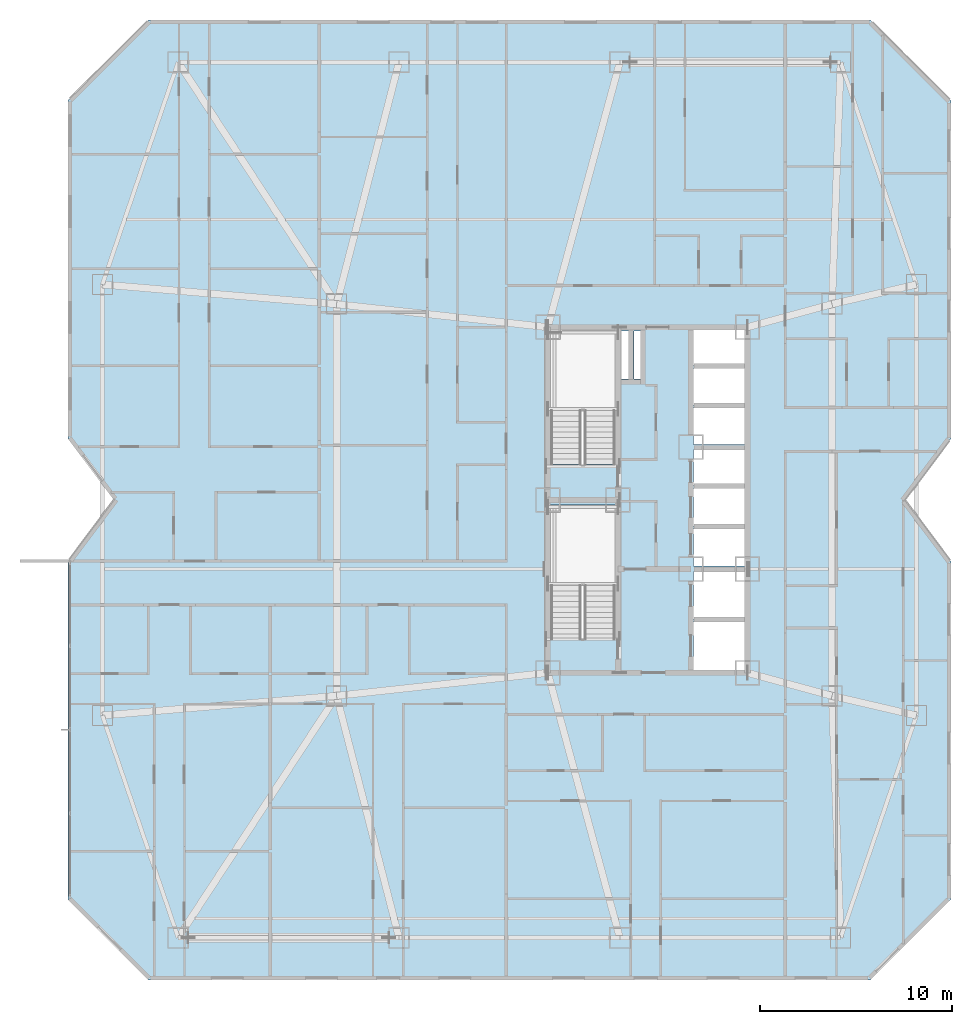
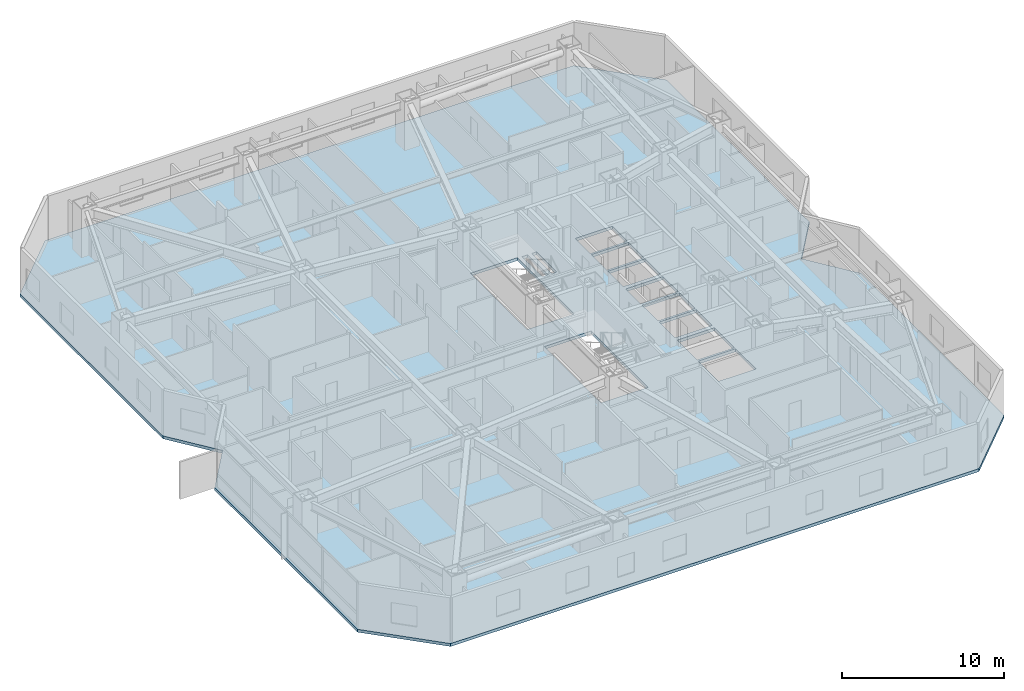
# One storey, part 8 of 19: 1 slab.
"""IFC4 building model written with IfcOpenShell, lengths in metres."""

from ifc_helpers import new_model, si_unit, direction, frame, origin, place, context, subcontext, project, spatial, polyline, outline, extrude, material, layer, layer_set, type_object, element, save


model = new_model("IFC4")

# Units and contexts
model_context = context("Model", 3, precision=1e-05, world=origin(), true_north=direction((0.0, 1.0)))
body_context = subcontext(model_context, "Body", "Model", "MODEL_VIEW")
ifc_project = project(units=[si_unit("LENGTHUNIT", "METRE"), si_unit("AREAUNIT", "SQUARE_METRE"), si_unit("VOLUMEUNIT", "CUBIC_METRE"), si_unit("PLANEANGLEUNIT", "RADIAN"), si_unit("MASSUNIT", "GRAM", prefix="KILO")], contexts=[model_context])

# Site, building, storey
site_placement = place(None, origin())
site = spatial("IfcSite", under=ifc_project, at=site_placement, CompositionType="ELEMENT")
building_placement = place(site_placement, origin())
building = spatial("IfcBuilding", under=site, at=building_placement, Name="Khamvora Tower", CompositionType="ELEMENT")
storey_placement = place(building_placement, frame((0.0, 0.0, 58.85009765625)))
storey = spatial("IfcBuildingStorey", under=building, at=storey_placement, Name="L14", CompositionType="ELEMENT", Elevation=58.85009765625)

# Slab
ifc_material = material(Name="Concrete C35/45", Category="concrete")
ifc_layer = layer(ifc_material, 0.219970703125)
ifc_layer_set = layer_set([ifc_layer], Name="Concrete C35/45")
slab_type = type_object("IfcSlabType", Name="SLB-TYP-220", PredefinedType="FLOOR", material=ifc_layer_set)
slab_placement = place(storey_placement, frame((0.0, 0.0, -0.22021484375)))
element("IfcSlab", 1, at=slab_placement, inside=storey, type_object=slab_type, Name="L14 structural floor slab", PredefinedType="FLOOR", context=body_context, shape_type="SweptSolid", body=[
    extrude(outline(polyline([(8.199951171875, 3.0), (45.800048828125, 3.0), (50.0, 7.199951171875), (50.0, 24.800048828125), (47.60009765625, 28.0), (50.0, 31.199951171875), (50.0, 48.800048828125), (45.800048828125, 53.0), (8.199951171875, 53.0), (4.0, 48.800048828125), (4.0, 31.199951171875), (6.39990234375, 28.0), (4.0, 24.800048828125), (4.0, 7.199951171875), (8.199951171875, 3.0)]), holes=[polyline([(32.5, 20.760009765625), (32.5, 27.75), (29.14990234375, 27.75), (29.14990234375, 20.760009765625), (32.5, 20.760009765625)]), polyline([(32.5, 29.860107421875), (32.5, 36.85009765625), (29.14990234375, 36.85009765625), (29.14990234375, 29.860107421875), (32.5, 29.860107421875)]), polyline([(36.60009765625, 19.14990234375), (39.25, 19.14990234375), (39.25, 21.64990234375), (36.60009765625, 21.64990234375), (36.60009765625, 19.14990234375)]), polyline([(36.60009765625, 21.800048828125), (39.25, 21.800048828125), (39.25, 24.25), (36.60009765625, 24.25), (36.60009765625, 21.800048828125)]), polyline([(36.60009765625, 24.550048828125), (39.25, 24.550048828125), (39.25, 26.5), (36.60009765625, 26.5), (36.60009765625, 24.550048828125)]), polyline([(36.60009765625, 26.64990234375), (39.25, 26.64990234375), (39.25, 28.60009765625), (36.60009765625, 28.60009765625), (36.60009765625, 26.64990234375)]), polyline([(36.60009765625, 28.75), (39.25, 28.75), (39.25, 30.60009765625), (36.60009765625, 30.60009765625), (36.60009765625, 28.75)]), polyline([(36.60009765625, 30.89990234375), (39.25, 30.89990234375), (39.25, 32.800048828125), (36.60009765625, 32.800048828125), (36.60009765625, 30.89990234375)]), polyline([(36.60009765625, 32.949951171875), (39.25, 32.949951171875), (39.25, 34.85009765625), (36.60009765625, 34.85009765625), (36.60009765625, 32.949951171875)]), polyline([(36.60009765625, 35.0), (39.25, 35.0), (39.25, 36.85009765625), (36.60009765625, 36.85009765625), (36.60009765625, 35.0)]), polyline([(32.800048828125, 34.300048828125), (33.199951171875, 34.300048828125), (33.199951171875, 36.800048828125), (32.800048828125, 36.800048828125), (32.800048828125, 34.300048828125)]), polyline([(33.47998046875, 34.300048828125), (33.820068359375, 34.300048828125), (33.820068359375, 36.800048828125), (33.47998046875, 36.800048828125), (33.47998046875, 34.300048828125)])]), origin(), (0.0, 0.0, 1.0), 0.22021484375),
])

save(model, "model.ifc")
